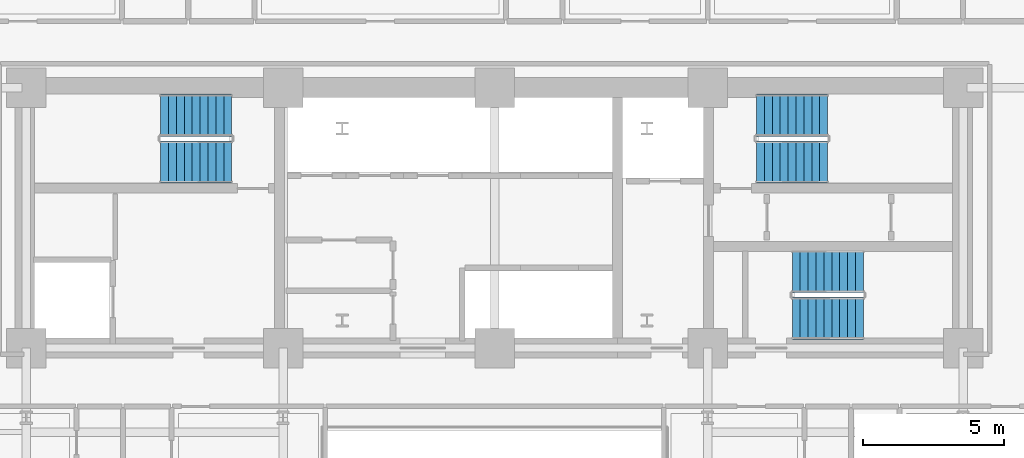
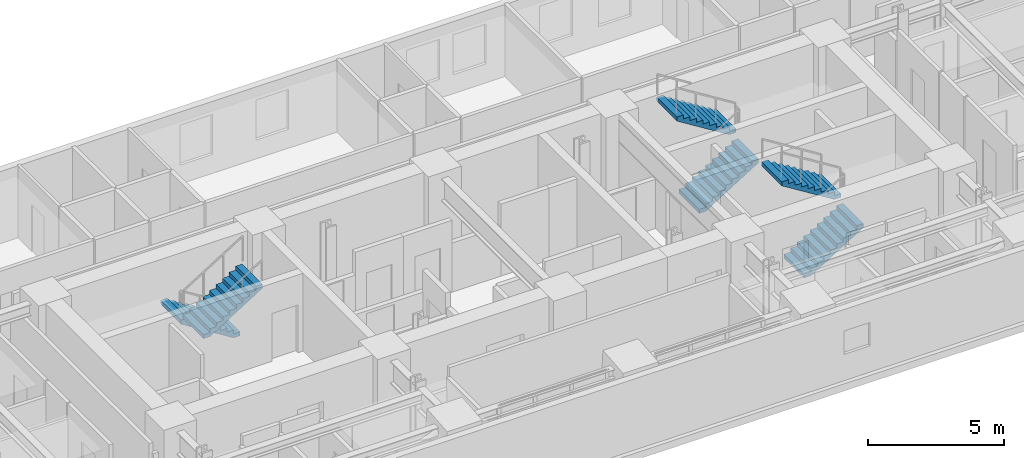
# One storey, part 12 of 15: 6 stair flights, 3 elements without a shape of their own.
"""IFC4 building model written with IfcOpenShell, lengths in metres."""

from ifc_helpers import new_model, si_unit, direction, frame, origin, place, context, subcontext, project, spatial, polyline, outline, extrude, material, layer, layer_set, type_object, element, aggregate, save


model = new_model("IFC4")

# Units and contexts
model_context = context("Model", 3, precision=1e-05, world=origin(), true_north=direction((0.0, 1.0)))
body_context = subcontext(model_context, "Body", "Model", "MODEL_VIEW")
ifc_project = project(units=[si_unit("LENGTHUNIT", "METRE"), si_unit("AREAUNIT", "SQUARE_METRE"), si_unit("VOLUMEUNIT", "CUBIC_METRE"), si_unit("PLANEANGLEUNIT", "RADIAN"), si_unit("MASSUNIT", "GRAM", prefix="KILO")], contexts=[model_context])

# Site, building, storey
site_placement = place(None, origin())
site = spatial("IfcSite", under=ifc_project, at=site_placement, CompositionType="ELEMENT")
building_placement = place(site_placement, origin())
building = spatial("IfcBuilding", under=site, at=building_placement, Name="Zarnavel Station Tower", CompositionType="ELEMENT")
storey_placement = place(building_placement, frame((0.0, 0.0, 36.0)))
storey = spatial("IfcBuildingStorey", under=building, at=storey_placement, Name="L09", CompositionType="ELEMENT", Elevation=36.0)

# Stair, stair flights
ifc_material_1 = material(Name="Concrete C45/55", Category="concrete")
stair_type = type_object("IfcStairType", Name="ST_CORE_150", PredefinedType="HALF_TURN_STAIR", material=ifc_material_1)
stair_1_placement = place(storey_placement, origin())
stair_1 = element("IfcStair", 1, at=stair_1_placement, inside=storey, type_object=stair_type, Name="L09 Core Exit Stair ST1", PredefinedType="HALF_TURN_STAIR")
ifc_material_2 = material(Name="Concrete C45/55", Category="concrete")
ifc_layer = layer(ifc_material_2, 0.179931640625)
ifc_layer_set = layer_set([ifc_layer], Name="ST_CORE_150_FLT")
stair_flight_type = type_object("IfcStairFlightType", Name="ST_CORE_150_FLT", PredefinedType="STRAIGHT", material=ifc_layer_set)
stair_flight_1_placement = place(storey_placement, frame((19.47998046875, 36.070068359375, 0.0), z_axis=(0.0, 0.0, 1.0), x_axis=(-1.0, 0.0, 0.0)))
stair_flight_1 = element("IfcStairFlight", 2, at=stair_flight_1_placement, type_object=stair_flight_type, Name="ST1 flight 1", NumberOfRisers=10, NumberOfTreads=9, PredefinedType="STRAIGHT", RiserHeight=0.175, TreadLength=0.28, context=body_context, shape_type="SweptSolid", body=[
    extrude(outline(polyline([(0.0, 0.0), (0.0, 0.175048828125), (0.280029296875, 0.175048828125), (0.280029296875, 0.35009765625), (0.56005859375, 0.35009765625), (0.56005859375, 0.52490234375), (0.840087890625, 0.52490234375), (0.840087890625, 0.699951171875), (1.1201171875, 0.699951171875), (1.1201171875, 0.875), (1.39990234375, 0.875), (1.39990234375, 1.050048828125), (1.679931640625, 1.050048828125), (1.679931640625, 1.22509765625), (1.9599609375, 1.22509765625), (1.9599609375, 1.39990234375), (2.239990234375, 1.39990234375), (2.239990234375, 1.574951171875), (2.52001953125, 1.574951171875), (2.52001953125, 1.75), (2.52001953125, 1.398193359375), (0.28271484375, 0.0), (0.0, 0.0)])), frame((0.0, 0.75, 0.0), z_axis=(0.0, -1.0, 0.0), x_axis=(1.0, 0.0, 0.0)), (0.0, 0.0, 1.0), 1.5),
])
stair_flight_2_placement = place(storey_placement, frame((16.9599609375, 34.409912109375, 1.75), z_axis=(0.0, 0.0, 1.0), x_axis=(1.0, 0.0, 0.0)))
stair_flight_2 = element("IfcStairFlight", 3, at=stair_flight_2_placement, type_object=stair_flight_type, Name="ST1 flight 2", NumberOfRisers=10, NumberOfTreads=9, PredefinedType="STRAIGHT", RiserHeight=0.175, TreadLength=0.28, context=body_context, shape_type="SweptSolid", body=[
    extrude(outline(polyline([(0.0, 0.0), (0.0, 0.175048828125), (0.280029296875, 0.175048828125), (0.280029296875, 0.35009765625), (0.56005859375, 0.35009765625), (0.56005859375, 0.52490234375), (0.840087890625, 0.52490234375), (0.840087890625, 0.699951171875), (1.1201171875, 0.699951171875), (1.1201171875, 0.875), (1.39990234375, 0.875), (1.39990234375, 1.050048828125), (1.679931640625, 1.050048828125), (1.679931640625, 1.22509765625), (1.9599609375, 1.22509765625), (1.9599609375, 1.39990234375), (2.239990234375, 1.39990234375), (2.239990234375, 1.574951171875), (2.52001953125, 1.574951171875), (2.52001953125, 1.75), (2.52001953125, 1.398193359375), (0.28271484375, 0.0), (0.0, 0.0)])), frame((0.0, 0.75, 0.0), z_axis=(0.0, -1.0, 0.0), x_axis=(1.0, 0.0, 0.0)), (0.0, 0.0, 1.0), 1.5),
])
aggregate(stair_1, [stair_flight_1, stair_flight_2])

stair_2_placement = place(storey_placement, origin())
stair_2 = element("IfcStair", 4, at=stair_2_placement, inside=storey, type_object=stair_type, Name="L09 Core Exit Stair ST2", PredefinedType="HALF_TURN_STAIR")
stair_flight_3_placement = place(storey_placement, frame((38.080078125, 34.409912109375, 0.0), z_axis=(0.0, 0.0, 1.0), x_axis=(1.0, 0.0, 0.0)))
stair_flight_3 = element("IfcStairFlight", 5, at=stair_flight_3_placement, type_object=stair_flight_type, Name="ST2 flight 1", NumberOfRisers=10, NumberOfTreads=9, PredefinedType="STRAIGHT", RiserHeight=0.175, TreadLength=0.28, context=body_context, shape_type="SweptSolid", body=[
    extrude(outline(polyline([(0.0, 0.0), (0.0, 0.175048828125), (0.280029296875, 0.175048828125), (0.280029296875, 0.35009765625), (0.56005859375, 0.35009765625), (0.56005859375, 0.52490234375), (0.840087890625, 0.52490234375), (0.840087890625, 0.699951171875), (1.1201171875, 0.699951171875), (1.1201171875, 0.875), (1.39990234375, 0.875), (1.39990234375, 1.050048828125), (1.679931640625, 1.050048828125), (1.679931640625, 1.22509765625), (1.9599609375, 1.22509765625), (1.9599609375, 1.39990234375), (2.239990234375, 1.39990234375), (2.239990234375, 1.574951171875), (2.52001953125, 1.574951171875), (2.52001953125, 1.75), (2.52001953125, 1.398193359375), (0.28271484375, 0.0), (0.0, 0.0)])), frame((0.0, 0.75, 0.0), z_axis=(0.0, -1.0, 0.0), x_axis=(1.0, 0.0, 0.0)), (0.0, 0.0, 1.0), 1.5),
])
stair_flight_4_placement = place(storey_placement, frame((40.60009765625, 36.070068359375, 1.75), z_axis=(0.0, 0.0, 1.0), x_axis=(-1.0, 0.0, 0.0)))
stair_flight_4 = element("IfcStairFlight", 6, at=stair_flight_4_placement, type_object=stair_flight_type, Name="ST2 flight 2", NumberOfRisers=10, NumberOfTreads=9, PredefinedType="STRAIGHT", RiserHeight=0.175, TreadLength=0.28, context=body_context, shape_type="SweptSolid", body=[
    extrude(outline(polyline([(0.0, 0.0), (0.0, 0.175048828125), (0.280029296875, 0.175048828125), (0.280029296875, 0.35009765625), (0.56005859375, 0.35009765625), (0.56005859375, 0.52490234375), (0.840087890625, 0.52490234375), (0.840087890625, 0.699951171875), (1.1201171875, 0.699951171875), (1.1201171875, 0.875), (1.39990234375, 0.875), (1.39990234375, 1.050048828125), (1.679931640625, 1.050048828125), (1.679931640625, 1.22509765625), (1.9599609375, 1.22509765625), (1.9599609375, 1.39990234375), (2.239990234375, 1.39990234375), (2.239990234375, 1.574951171875), (2.52001953125, 1.574951171875), (2.52001953125, 1.75), (2.52001953125, 1.398193359375), (0.28271484375, 0.0), (0.0, 0.0)])), frame((0.0, 0.75, 0.0), z_axis=(0.0, -1.0, 0.0), x_axis=(1.0, 0.0, 0.0)), (0.0, 0.0, 1.0), 1.5),
])
aggregate(stair_2, [stair_flight_3, stair_flight_4])

stair_3_placement = place(storey_placement, origin())
stair_3 = element("IfcStair", 7, at=stair_3_placement, inside=storey, type_object=stair_type, Name="L09 Core Exit Stair ST3", PredefinedType="HALF_TURN_STAIR")
stair_flight_5_placement = place(storey_placement, frame((39.35009765625, 28.8701171875, 0.0), z_axis=(0.0, 0.0, 1.0), x_axis=(1.0, 0.0, 0.0)))
stair_flight_5 = element("IfcStairFlight", 8, at=stair_flight_5_placement, type_object=stair_flight_type, Name="ST3 flight 1", NumberOfRisers=10, NumberOfTreads=9, PredefinedType="STRAIGHT", RiserHeight=0.175, TreadLength=0.28, context=body_context, shape_type="SweptSolid", body=[
    extrude(outline(polyline([(0.0, 0.0), (0.0, 0.175048828125), (0.280029296875, 0.175048828125), (0.280029296875, 0.35009765625), (0.56005859375, 0.35009765625), (0.56005859375, 0.52490234375), (0.840087890625, 0.52490234375), (0.840087890625, 0.699951171875), (1.1201171875, 0.699951171875), (1.1201171875, 0.875), (1.39990234375, 0.875), (1.39990234375, 1.050048828125), (1.679931640625, 1.050048828125), (1.679931640625, 1.22509765625), (1.9599609375, 1.22509765625), (1.9599609375, 1.39990234375), (2.239990234375, 1.39990234375), (2.239990234375, 1.574951171875), (2.52001953125, 1.574951171875), (2.52001953125, 1.75), (2.52001953125, 1.398193359375), (0.28271484375, 0.0), (0.0, 0.0)])), frame((0.0, 0.75, 0.0), z_axis=(0.0, -1.0, 0.0), x_axis=(1.0, 0.0, 0.0)), (0.0, 0.0, 1.0), 1.5),
])
stair_flight_6_placement = place(storey_placement, frame((41.8701171875, 30.530029296875, 1.75), z_axis=(0.0, 0.0, 1.0), x_axis=(-1.0, 0.0, 0.0)))
stair_flight_6 = element("IfcStairFlight", 9, at=stair_flight_6_placement, type_object=stair_flight_type, Name="ST3 flight 2", NumberOfRisers=10, NumberOfTreads=9, PredefinedType="STRAIGHT", RiserHeight=0.175, TreadLength=0.28, context=body_context, shape_type="SweptSolid", body=[
    extrude(outline(polyline([(0.0, 0.0), (0.0, 0.175048828125), (0.280029296875, 0.175048828125), (0.280029296875, 0.35009765625), (0.56005859375, 0.35009765625), (0.56005859375, 0.52490234375), (0.840087890625, 0.52490234375), (0.840087890625, 0.699951171875), (1.1201171875, 0.699951171875), (1.1201171875, 0.875), (1.39990234375, 0.875), (1.39990234375, 1.050048828125), (1.679931640625, 1.050048828125), (1.679931640625, 1.22509765625), (1.9599609375, 1.22509765625), (1.9599609375, 1.39990234375), (2.239990234375, 1.39990234375), (2.239990234375, 1.574951171875), (2.52001953125, 1.574951171875), (2.52001953125, 1.75), (2.52001953125, 1.398193359375), (0.28271484375, 0.0), (0.0, 0.0)])), frame((0.0, 0.75, 0.0), z_axis=(0.0, -1.0, 0.0), x_axis=(1.0, 0.0, 0.0)), (0.0, 0.0, 1.0), 1.5),
])
aggregate(stair_3, [stair_flight_5, stair_flight_6])

save(model, "model.ifc")
